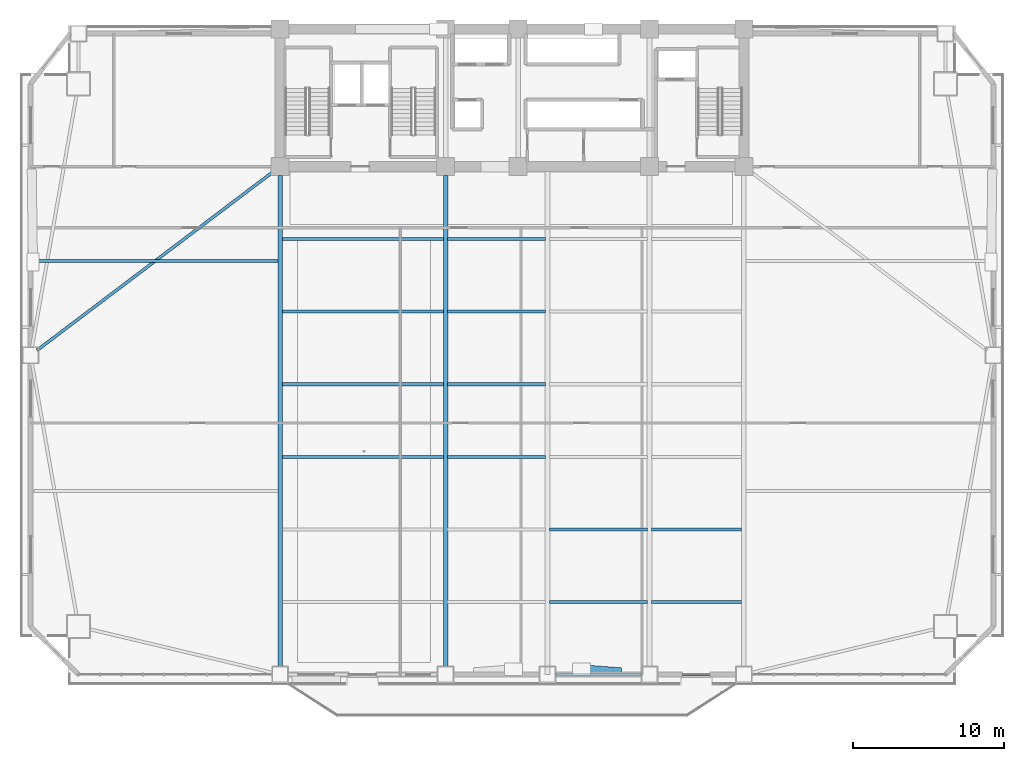
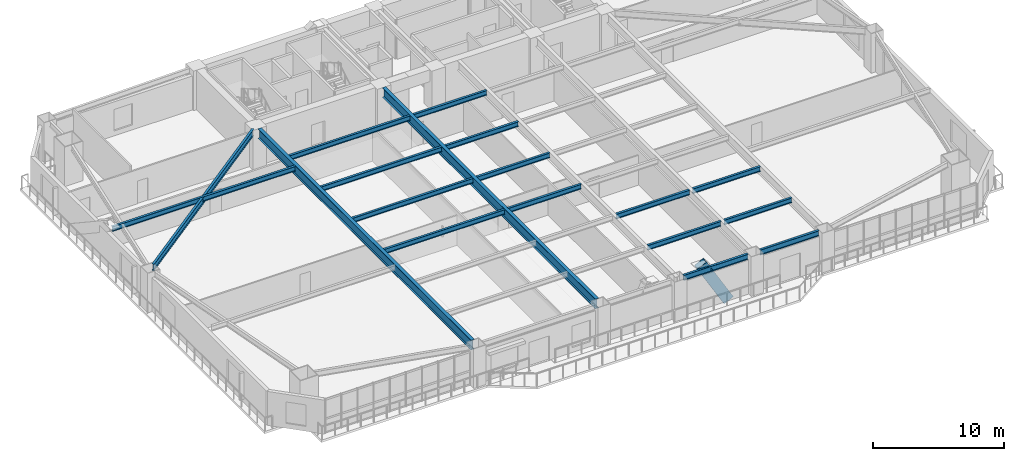
# One storey, part 5 of 17: 18 beams, 1 member.
"""IFC4 building model written with IfcOpenShell, lengths in metres."""

import ifcopenshell
import ifcopenshell.guid

model = None  # the IFC model being written
_history = None  # IfcOwnerHistory: only IFC2X3 demands one
_inside = {}  # id of a spatial element -> (the spatial element, [elements in it])
_under = {}  # id of a project, library or spatial element -> (it, [spatial elements below it])
_declared = {}  # id of a project -> (the project, [libraries it declares])
_typed = {}  # id of a type object -> (the type object, [elements of that type])
_made_of = {}  # id of a material, layer set ... -> (it, [elements and type objects made of it])


def new_model(schema):
    """Start an empty IFC model of exactly this schema.

    Asked for "IFC4X3", IfcOpenShell would pick the latest addendum, in which some entities
    have other attributes; the version numbers below select the first issue.
    IFC2X3 requires an IfcOwnerHistory on every rooted entity: one is made here for all.
    """
    global model, _history
    if schema == "IFC4X3":
        model = ifcopenshell.file(schema_version=(4, 3, 0, 0))
    else:
        model = ifcopenshell.file(schema=schema)
    _inside.clear()
    _under.clear()
    _declared.clear()
    _typed.clear()
    _made_of.clear()
    _history = None
    if model.schema == "IFC2X3":
        org = make("IfcOrganization", Name="unknown")
        user = make(
            "IfcPersonAndOrganization",
            ThePerson=make("IfcPerson", FamilyName="unknown"),
            TheOrganization=org,
        )
        app = make(
            "IfcApplication",
            ApplicationDeveloper=org,
            Version="unknown",
            ApplicationFullName="unknown",
            ApplicationIdentifier="unknown",
        )
        _history = make(
            "IfcOwnerHistory",
            OwningUser=user,
            OwningApplication=app,
            ChangeAction="ADDED",
            CreationDate=0,
        )
    return model


def make(cls, **values):
    """One entity of the class cls with the attributes given. An attribute that is None is left unset."""
    return model.create_entity(
        cls, **{name: value for name, value in values.items() if value is not None}
    )


def rooted(cls, **values):
    """An entity with a GlobalId (a new one), such as an element, a storey or a relation."""
    return make(cls, GlobalId=ifcopenshell.guid.new(), OwnerHistory=_history, **values)


def si_unit(unit_type, name, prefix=None):
    """IfcSIUnit, for example si_unit("LENGTHUNIT", "METRE", prefix="MILLI")."""
    return make("IfcSIUnit", UnitType=unit_type, Prefix=prefix, Name=name)


def assignment(units):
    """IfcUnitAssignment: the units of a project."""
    return None if units is None else make("IfcUnitAssignment", Units=units)


def point(xyz):
    """IfcCartesianPoint."""
    return None if xyz is None else make("IfcCartesianPoint", Coordinates=xyz)


def direction(xyz):
    """IfcDirection."""
    return None if xyz is None else make("IfcDirection", DirectionRatios=xyz)


def frame(location, z_axis=None, x_axis=None):
    """IfcAxis2Placement3D, a coordinate frame: its origin and axes. An axis left out is left unset."""
    return make(
        "IfcAxis2Placement3D",
        Location=point(location),
        Axis=direction(z_axis),
        RefDirection=direction(x_axis),
    )


def frame_2d(location, x_axis=None):
    """IfcAxis2Placement2D, a coordinate frame in the plane: its origin and x axis."""
    return make(
        "IfcAxis2Placement2D", Location=point(location), RefDirection=direction(x_axis)
    )


def origin():
    """The frame at (0, 0, 0) with its axes left unset."""
    return frame((0.0, 0.0, 0.0))


def origin_2d():
    """The frame at (0, 0) in the plane with its x axis left unset."""
    return frame_2d((0.0, 0.0))


def place(relative_to, where):
    """IfcLocalPlacement: puts the frame where relative to a parent placement (None: the world)."""
    return make(
        "IfcLocalPlacement", PlacementRelTo=relative_to, RelativePlacement=where
    )


def context(
    kind, dimensions, precision=None, world=None, true_north=None, identifier=None
):
    """IfcGeometricRepresentationContext, for example the 3D "Model" context."""
    return make(
        "IfcGeometricRepresentationContext",
        ContextIdentifier=identifier,
        ContextType=kind,
        CoordinateSpaceDimension=dimensions,
        Precision=precision,
        WorldCoordinateSystem=world,
        TrueNorth=true_north,
    )


def subcontext(parent, identifier, kind, view, scale=None):
    """IfcGeometricRepresentationSubContext, for example "Body" below "Model"."""
    return make(
        "IfcGeometricRepresentationSubContext",
        ContextIdentifier=identifier,
        ContextType=kind,
        ParentContext=parent,
        TargetScale=scale,
        TargetView=view,
    )


def project(units=None, contexts=None):
    """IfcProject with its units and contexts."""
    return rooted(
        "IfcProject",
        Name="project",
        RepresentationContexts=contexts,
        UnitsInContext=assignment(units),
    )


def spatial(cls, under=None, at=None, **own):
    """A site, building, storey or space (cls), placed at a placement, below another one or the project."""
    s = rooted(cls, ObjectPlacement=at, **own)
    if under is not None:
        _under.setdefault(under.id(), (under, []))[1].append(s)
    return s


def profile(cls, at=None, kind="AREA", **sizes):
    """A parametric profile (cls). Its sizes go by their IFC names, for example OverallWidth=200.0."""
    return make(cls, ProfileType=kind, Position=at, **sizes)


def hollow_rectangle(**sizes):
    """IfcRectangleHollowProfileDef."""
    return profile("IfcRectangleHollowProfileDef", **sizes)


def i_section(**sizes):
    """IfcIShapeProfileDef."""
    return profile("IfcIShapeProfileDef", **sizes)


def extrude(swept, where, along, depth):
    """IfcExtrudedAreaSolid: the profile swept, set in the frame where, extruded along a direction by depth."""
    return make(
        "IfcExtrudedAreaSolid",
        SweptArea=swept,
        Position=where,
        ExtrudedDirection=direction(along),
        Depth=depth,
    )


def shape(context_of_items, identifier, shape_type, items):
    """IfcShapeRepresentation: the items that make up one representation, for example the "Body"."""
    return make(
        "IfcShapeRepresentation",
        ContextOfItems=context_of_items,
        RepresentationIdentifier=identifier,
        RepresentationType=shape_type,
        Items=items,
    )


def source(mapping_origin, context_of_items, identifier, shape_type, items):
    """IfcRepresentationMap: a shape defined once, which mapped items show again and again."""
    return make(
        "IfcRepresentationMap",
        MappingOrigin=mapping_origin,
        MappedRepresentation=shape(context_of_items, identifier, shape_type, items),
    )


def transform(
    local_origin,
    x_axis=None,
    y_axis=None,
    z_axis=None,
    scale=None,
    scale2=None,
    scale3=None,
    uniform=True,
):
    """IfcCartesianTransformationOperator3D, or its non-uniform kind. x_axis, y_axis, z_axis: its Axis1, 2, 3."""
    if uniform:
        return make(
            "IfcCartesianTransformationOperator3D",
            Axis1=direction(x_axis),
            Axis2=direction(y_axis),
            LocalOrigin=point(local_origin),
            Scale=scale,
            Axis3=direction(z_axis),
        )
    return make(
        "IfcCartesianTransformationOperator3DnonUniform",
        Axis1=direction(x_axis),
        Axis2=direction(y_axis),
        LocalOrigin=point(local_origin),
        Scale=scale,
        Axis3=direction(z_axis),
        Scale2=scale2,
        Scale3=scale3,
    )


def mapped(mapping_source, mapping_target):
    """IfcMappedItem: shows the shape of a source again, moved by a transform."""
    return make(
        "IfcMappedItem", MappingSource=mapping_source, MappingTarget=mapping_target
    )


def material(Name=None, Category=None):
    """IfcMaterial."""
    return make("IfcMaterial", Name=Name, Category=Category)


def material_profile(
    of_material, cross_section, Name=None, Category=None, Priority=None
):
    """IfcMaterialProfile: a cross section and its material."""
    return make(
        "IfcMaterialProfile",
        Name=Name,
        Material=of_material,
        Profile=cross_section,
        Priority=Priority,
        Category=Category,
    )


def profile_set(profiles, Name=None, composite=None):
    """IfcMaterialProfileSet."""
    return make(
        "IfcMaterialProfileSet",
        Name=Name,
        MaterialProfiles=profiles,
        CompositeProfile=composite,
    )


def made_of(thing, what):
    """Note that an element or type object is made of a material, layer set ...; save() writes the relation."""
    if what is not None:
        _made_of.setdefault(what.id(), (what, []))[1].append(thing)
    return thing


def type_object(cls, material=None, **own):
    """A type object (cls), such as IfcWallType, which elements share."""
    return made_of(rooted(cls, **own), material)


def element(
    cls,
    number,
    at=None,
    inside=None,
    cuts=None,
    type_object=None,
    material=None,
    context=None,
    identifier="Body",
    shape_type=None,
    held_by="IfcProductDefinitionShape",
    body=None,
    shapes=None,
    **own,
):
    """One element of the class cls, such as IfcWall. Its Tag is "e" and its number.

    at: its placement. inside: the storey or other place that contains it. cuts: it is an
    opening in that element (IfcRelVoidsElement). A single representation is given by context,
    identifier, shape_type and body (its items); several are given by shapes. held_by: the class
    of the entity that holds the representations. save() writes the other relations.
    """
    e = rooted(cls, Tag="e%d" % number, ObjectPlacement=at, **own)
    if body is not None:
        shapes = [shape(context, identifier, shape_type, body)]
    if shapes is not None:
        e.Representation = make(held_by, Representations=shapes)
    if inside is not None:
        _inside.setdefault(inside.id(), (inside, []))[1].append(e)
    if cuts is not None:
        rooted(
            "IfcRelVoidsElement", RelatingBuildingElement=cuts, RelatedOpeningElement=e
        )
    if type_object is not None:
        _typed.setdefault(type_object.id(), (type_object, []))[1].append(e)
    return made_of(e, material)


def aggregate(whole, parts):
    """IfcRelAggregates: a whole, such as a stair, and the parts it consists of."""
    return rooted("IfcRelAggregates", RelatingObject=whole, RelatedObjects=parts)


def save(model, path):
    """Write the relations noted so far, then the file.

    IfcRelAggregates (storeys below a building ...), IfcRelContainedInSpatialStructure (elements
    in a storey), IfcRelDefinesByType, IfcRelAssociatesMaterial and IfcRelDeclares: one each for
    every whole, place, type object, material and project.
    """
    for whole, parts in _under.values():
        aggregate(whole, parts)
    for where, things in _inside.values():
        rooted(
            "IfcRelContainedInSpatialStructure",
            RelatedElements=things,
            RelatingStructure=where,
        )
    for kind, things in _typed.values():
        rooted("IfcRelDefinesByType", RelatedObjects=things, RelatingType=kind)
    for what, things in _made_of.values():
        rooted("IfcRelAssociatesMaterial", RelatedObjects=things, RelatingMaterial=what)
    for by, libraries in _declared.values():
        rooted("IfcRelDeclares", RelatingContext=by, RelatedDefinitions=libraries)
    model.write(path)


model = new_model("IFC4")

# Units and contexts
model_context = context("Model", 3, precision=1e-05, world=origin(), true_north=direction((0.0, 1.0)))
body_context = subcontext(model_context, "Body", "Model", "MODEL_VIEW")
ifc_project = project(units=[si_unit("LENGTHUNIT", "METRE"), si_unit("AREAUNIT", "SQUARE_METRE"), si_unit("VOLUMEUNIT", "CUBIC_METRE"), si_unit("PLANEANGLEUNIT", "RADIAN"), si_unit("MASSUNIT", "GRAM", prefix="KILO")], contexts=[model_context])

# Site, building, storey
site_placement = place(None, origin())
site = spatial("IfcSite", under=ifc_project, at=site_placement, CompositionType="ELEMENT")
building_placement = place(site_placement, origin())
building = spatial("IfcBuilding", under=site, at=building_placement, Name="Giltprow Tower", CompositionType="ELEMENT")
storey_placement = place(building_placement, frame((0.0, 0.0, 41.0)))
storey = spatial("IfcBuildingStorey", under=building, at=storey_placement, Name="L10", CompositionType="ELEMENT", Elevation=41.0)

# Beams
ifc_material_1 = material(Name="Structural steel Q355B", Category="steel")
ifc_material_profile_1 = material_profile(ifc_material_1, i_section(OverallWidth=0.199951171875, OverallDepth=0.5, WebThickness=0.010009765625, FlangeThickness=0.01611328125, at=origin_2d()), Name="HN 500x200x10x16")
ifc_profile_set_1 = profile_set([ifc_material_profile_1], Name="Structural steel Q355B")
beam_type_1 = type_object("IfcBeamType", Name="BM-SPAN-HN500", PredefinedType="SPANDREL", material=ifc_profile_set_1)
shared_shape_1 = source(origin(), body_context, "Body", "SweptSolid", [
    extrude(i_section(OverallWidth=0.199951171875, OverallDepth=0.5, WebThickness=0.010009765625, FlangeThickness=0.01611328125, at=origin_2d()), origin(), (0.0, 0.0, 1.0), 5.679931640625),
])
beam_1_placement = place(storey_placement, frame((38.0849609375, 3.826904296875, 3.429931640625), z_axis=(1.0, 0.0, 0.0), x_axis=(0.0, 1.0, 0.0)))
element("IfcBeam", 1, at=beam_1_placement, inside=storey, type_object=beam_type_1, Name="L10 Perimeter Spandrel Beam S_MID-S3", PredefinedType="SPANDREL", context=body_context, shape_type="MappedRepresentation", body=[
    mapped(shared_shape_1, transform((0.0, 0.0, 0.0), x_axis=(1.0, 0.0, 0.0), y_axis=(0.0, 1.0, 0.0), z_axis=(0.0, 0.0, 1.0), scale=1.0)),
])
shared_shape_2 = source(origin(), body_context, "Body", "SweptSolid", [
    extrude(i_section(OverallWidth=0.199951171875, OverallDepth=0.5, WebThickness=0.010009765625, FlangeThickness=0.01611328125, at=origin_2d()), origin(), (0.0, 0.0, 1.0), 5.179931640625),
])
beam_2_placement = place(storey_placement, frame((44.8349609375, 3.826904296875, 3.429931640625), z_axis=(1.0, 0.0, 0.0), x_axis=(0.0, 1.0, 0.0)))
element("IfcBeam", 2, at=beam_2_placement, inside=storey, type_object=beam_type_1, Name="L10 Perimeter Spandrel Beam S3-S4", PredefinedType="SPANDREL", context=body_context, shape_type="MappedRepresentation", body=[
    mapped(shared_shape_2, transform((0.0, 0.0, 0.0), x_axis=(1.0, 0.0, 0.0), y_axis=(0.0, 1.0, 0.0), z_axis=(0.0, 0.0, 1.0), scale=1.0)),
])
ifc_material_profile_2 = material_profile(ifc_material_1, i_section(OverallWidth=0.199951171875, OverallDepth=0.449951171875, WebThickness=0.009033203125, FlangeThickness=0.013916015625, at=origin_2d()), Name="HN 450x200x9x14")
ifc_profile_set_2 = profile_set([ifc_material_profile_2], Name="Structural steel Q355B")
beam_type_2 = type_object("IfcBeamType", Name="BM-JOIST-HN450", PredefinedType="JOIST", material=ifc_profile_set_2)
shared_shape_3 = source(origin(), body_context, "Body", "SweptSolid", [
    extrude(i_section(OverallWidth=0.199951171875, OverallDepth=0.449951171875, WebThickness=0.009033203125, FlangeThickness=0.013916015625, at=origin_2d()), origin(), (0.0, 0.0, 1.0), 10.659912109375),
])
for number, where, z_axis, x_axis, name in (
    (3, (19.9951171875, 18.237060546875, 3.455078125), (1.0, 0.0, 0.0), (0.0, 1.0, 0.0), "L10 Composite Floor Joist 3-1"),
    (4, (19.9951171875, 23.0400390625, 3.455078125), (1.0, 0.0, 0.0), (0.0, 1.0, 0.0), "L10 Composite Floor Joist 4-1"),
    (5, (19.9951171875, 27.843017578125, 3.455078125), (1.0, 0.0, 0.0), (0.0, 1.0, 0.0), "L10 Composite Floor Joist 5-1"),
    (6, (19.9951171875, 32.64697265625, 3.455078125), (1.0, 0.0, 0.0), (0.0, 1.0, 0.0), "L10 Composite Floor Joist 6-1"),
):
    element("IfcBeam", number, at=place(storey_placement, frame(where, z_axis=z_axis, x_axis=x_axis)), inside=storey, type_object=beam_type_2, Name=name, PredefinedType="JOIST", context=body_context, shape_type="MappedRepresentation", body=[
        mapped(shared_shape_3, transform((0.0, 0.0, 0.0), x_axis=(1.0, 0.0, 0.0), y_axis=(0.0, 1.0, 0.0), z_axis=(0.0, 0.0, 1.0), scale=1.0)),
    ])
shared_shape_4 = source(origin(), body_context, "Body", "SweptSolid", [
    extrude(i_section(OverallWidth=0.199951171875, OverallDepth=0.449951171875, WebThickness=0.009033203125, FlangeThickness=0.013916015625, at=origin_2d()), origin(), (0.0, 0.0, 1.0), 6.4599609375),
])
for number, where, z_axis, x_axis, name in (
    (7, (37.695068359375, 8.6298828125, 3.455078125), (1.0, 0.0, 0.0), (0.0, 1.0, 0.0), "L10 Composite Floor Joist 1-3"),
    (8, (37.695068359375, 13.43408203125, 3.455078125), (1.0, 0.0, 0.0), (0.0, 1.0, 0.0), "L10 Composite Floor Joist 2-3"),
    (9, (30.945068359375, 18.237060546875, 3.455078125), (1.0, 0.0, 0.0), (0.0, 1.0, 0.0), "L10 Composite Floor Joist 3-2"),
    (10, (30.945068359375, 23.0400390625, 3.455078125), (1.0, 0.0, 0.0), (0.0, 1.0, 0.0), "L10 Composite Floor Joist 4-2"),
    (11, (30.945068359375, 27.843017578125, 3.455078125), (1.0, 0.0, 0.0), (0.0, 1.0, 0.0), "L10 Composite Floor Joist 5-2"),
    (12, (30.945068359375, 32.64697265625, 3.455078125), (1.0, 0.0, 0.0), (0.0, 1.0, 0.0), "L10 Composite Floor Joist 6-2"),
):
    element("IfcBeam", number, at=place(storey_placement, frame(where, z_axis=z_axis, x_axis=x_axis)), inside=storey, type_object=beam_type_2, Name=name, PredefinedType="JOIST", context=body_context, shape_type="MappedRepresentation", body=[
        mapped(shared_shape_4, transform((0.0, 0.0, 0.0), x_axis=(1.0, 0.0, 0.0), y_axis=(0.0, 1.0, 0.0), z_axis=(0.0, 0.0, 1.0), scale=1.0)),
    ])
shared_shape_5 = source(origin(), body_context, "Body", "SweptSolid", [
    extrude(i_section(OverallWidth=0.199951171875, OverallDepth=0.449951171875, WebThickness=0.009033203125, FlangeThickness=0.013916015625, at=origin_2d()), origin(), (0.0, 0.0, 1.0), 5.9599609375),
])
for number, where, z_axis, x_axis, name in (
    (13, (44.445068359375, 8.6298828125, 3.455078125), (1.0, 0.0, 0.0), (0.0, 1.0, 0.0), "L10 Composite Floor Joist 1-4"),
    (14, (44.445068359375, 13.43408203125, 3.455078125), (1.0, 0.0, 0.0), (0.0, 1.0, 0.0), "L10 Composite Floor Joist 2-4"),
):
    element("IfcBeam", number, at=place(storey_placement, frame(where, z_axis=z_axis, x_axis=x_axis)), inside=storey, type_object=beam_type_2, Name=name, PredefinedType="JOIST", context=body_context, shape_type="MappedRepresentation", body=[
        mapped(shared_shape_5, transform((0.0, 0.0, 0.0), x_axis=(1.0, 0.0, 0.0), y_axis=(0.0, 1.0, 0.0), z_axis=(0.0, 0.0, 1.0), scale=1.0)),
    ])
ifc_material_profile_3 = material_profile(ifc_material_1, i_section(OverallWidth=0.300048828125, OverallDepth=0.89990234375, WebThickness=0.01611328125, FlangeThickness=0.028076171875, at=origin_2d()), Name="HN 900x300x16x28")
ifc_profile_set_3 = profile_set([ifc_material_profile_3], Name="Structural steel Q355B")
beam_type_3 = type_object("IfcBeamType", Name="BM-GIRD-HN900", PredefinedType="BEAM", material=ifc_profile_set_3)
shared_shape_6 = source(origin(), body_context, "Body", "SweptSolid", [
    extrude(i_section(OverallWidth=0.300048828125, OverallDepth=0.89990234375, WebThickness=0.01611328125, FlangeThickness=0.028076171875, at=origin_2d()), origin(), (0.0, 0.0, 1.0), 32.5029296875),
])
for number, where, z_axis, x_axis, name in (
    (15, (19.85009765625, 4.362060546875, 3.22998046875), (0.0, 1.0, 0.0), (-1.0, 0.0, 0.0), "L10 Primary Lease Girder S1"),
    (16, (30.800048828125, 4.362060546875, 3.22998046875), (0.0, 1.0, 0.0), (-1.0, 0.0, 0.0), "L10 Primary Lease Girder S2"),
):
    element("IfcBeam", number, at=place(storey_placement, frame(where, z_axis=z_axis, x_axis=x_axis)), inside=storey, type_object=beam_type_3, Name=name, PredefinedType="BEAM", context=body_context, shape_type="MappedRepresentation", body=[
        mapped(shared_shape_6, transform((0.0, 0.0, 0.0), x_axis=(1.0, 0.0, 0.0), y_axis=(0.0, 1.0, 0.0), z_axis=(0.0, 0.0, 1.0), scale=1.0)),
    ])
ifc_material_profile_4 = material_profile(ifc_material_1, i_section(OverallWidth=0.199951171875, OverallDepth=0.60009765625, WebThickness=0.010986328125, FlangeThickness=0.01708984375, at=origin_2d()), Name="HN 600x200x11x17")
ifc_profile_set_4 = profile_set([ifc_material_profile_4], Name="Structural steel Q355B")
beam_type_4 = type_object("IfcBeamType", Name="BM-GIRD-HN600", PredefinedType="BEAM", material=ifc_profile_set_4)
shared_shape_7 = source(origin(), body_context, "Body", "SweptSolid", [
    extrude(i_section(OverallWidth=0.199951171875, OverallDepth=0.60009765625, WebThickness=0.010986328125, FlangeThickness=0.01708984375, at=origin_2d()), origin(), (0.0, 0.0, 1.0), 19.583740234375),
])
beam_3_placement = place(storey_placement, frame((3.761962890625, 25.285888671875, 3.3798828125), z_axis=(0.797660208942, 0.603107114094, 0.0), x_axis=(-0.603107114094, 0.797660208942, 0.0)))
element("IfcBeam", 17, at=beam_3_placement, inside=storey, type_object=beam_type_4, Name="L10 West Wing Primary Girder", PredefinedType="BEAM", context=body_context, shape_type="MappedRepresentation", body=[
    mapped(shared_shape_7, transform((0.0, 0.0, 0.0), x_axis=(1.0, 0.0, 0.0), y_axis=(0.0, 1.0, 0.0), z_axis=(0.0, 0.0, 1.0), scale=1.0)),
])
shared_shape_8 = source(origin(), body_context, "Body", "SweptSolid", [
    extrude(i_section(OverallWidth=0.199951171875, OverallDepth=0.449951171875, WebThickness=0.009033203125, FlangeThickness=0.013916015625, at=origin_2d()), origin(), (0.0, 0.0, 1.0), 16.150146484375),
])
beam_4_placement = place(storey_placement, frame((3.554931640625, 31.20703125, 3.455078125), z_axis=(1.0, 0.0, 0.0), x_axis=(0.0, 1.0, 0.0)))
element("IfcBeam", 18, at=beam_4_placement, inside=storey, type_object=beam_type_2, Name="L10 West Wing Floor Joist 2", PredefinedType="JOIST", context=body_context, shape_type="MappedRepresentation", body=[
    mapped(shared_shape_8, transform((0.0, 0.0, 0.0), x_axis=(1.0, 0.0, 0.0), y_axis=(0.0, 1.0, 0.0), z_axis=(0.0, 0.0, 1.0), scale=1.0)),
])

# Member
ifc_material_2 = material(Name="Structural steel Q420GJC", Category="steel")
ifc_material_profile_5 = material_profile(ifc_material_2, hollow_rectangle(XDim=0.60009765625, YDim=0.89990234375, WallThickness=0.0400390625, at=origin_2d()), Name="RHS 900x600x40")
ifc_profile_set_5 = profile_set([ifc_material_profile_5], Name="Structural steel Q420GJC")
member_type = type_object("IfcMemberType", Name="MBR-MEGA-RHS900", PredefinedType="BRACE", material=ifc_profile_set_5)
shared_shape_9 = source(origin(), body_context, "Body", "SweptSolid", [
    extrude(hollow_rectangle(XDim=0.60009765625, YDim=0.89990234375, WallThickness=0.0400390625, at=origin_2d()), origin(), (0.0, 0.0, 1.0), 4.505859375),
])
member_placement = place(storey_placement, frame((42.050048828125, 4.0029296875, 0.0), z_axis=(-0.499354580458, 0.038849526279, 0.865526266085), x_axis=(-0.077565091902, -0.996987290049, 0.0)))
element("IfcMember", 19, at=member_placement, inside=storey, type_object=member_type, Name="L10 Chevron Mega-Brace S-R", PredefinedType="BRACE", context=body_context, shape_type="MappedRepresentation", body=[
    mapped(shared_shape_9, transform((0.0, 0.0, 0.0), x_axis=(1.0, 0.0, 0.0), y_axis=(0.0, 1.0, 0.0), z_axis=(0.0, 0.0, 1.0), scale=1.0)),
])

save(model, "model.ifc")
